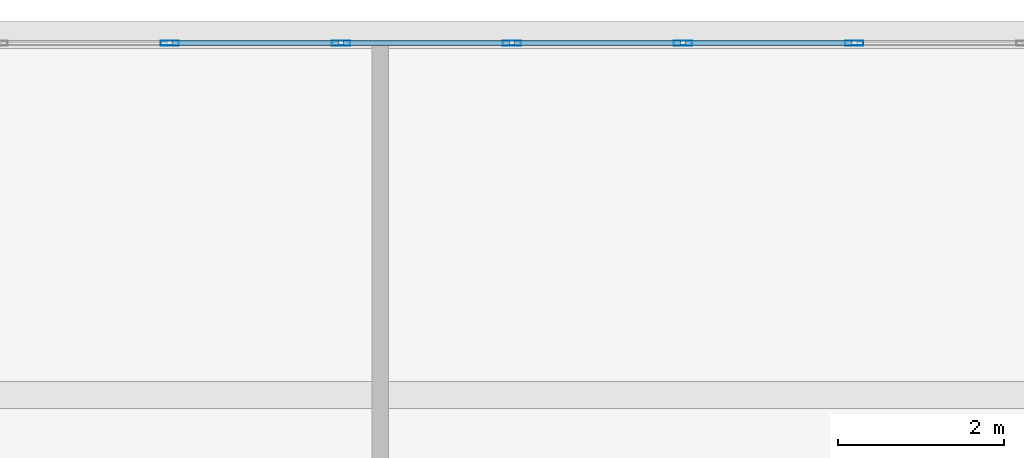
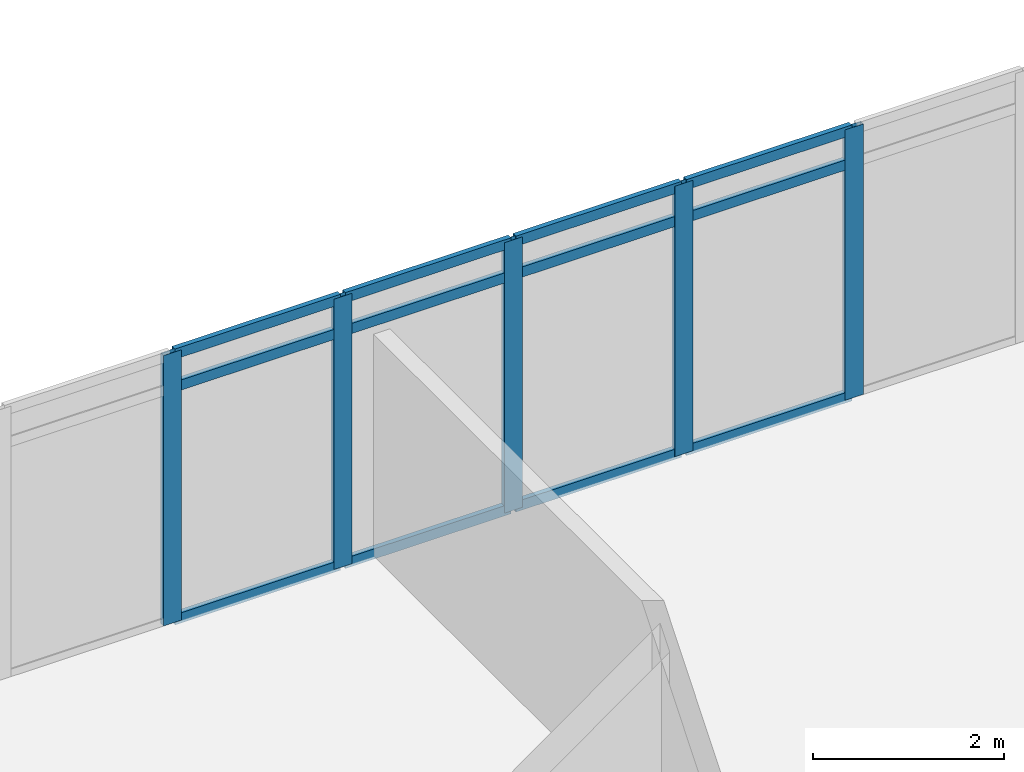
# One storey, part 17 of 28: 17 members, 1 element without a shape of its own.
"""IFC4 building model written with IfcOpenShell, lengths in metres."""

from ifc_helpers import new_model, si_unit, direction, frame, origin, origin_2d, place, context, subcontext, project, spatial, hollow_rectangle, extrude, material, material_profile, profile_set, type_object, element, aggregate, save


model = new_model("IFC4")

# Units and contexts
model_context = context("Model", 3, precision=1e-05, world=origin(), true_north=direction((0.0, 1.0)))
body_context = subcontext(model_context, "Body", "Model", "MODEL_VIEW")
ifc_project = project(units=[si_unit("LENGTHUNIT", "METRE"), si_unit("AREAUNIT", "SQUARE_METRE"), si_unit("VOLUMEUNIT", "CUBIC_METRE"), si_unit("PLANEANGLEUNIT", "RADIAN"), si_unit("MASSUNIT", "GRAM", prefix="KILO")], contexts=[model_context])

# Site, building, storey
site_placement = place(None, origin())
site = spatial("IfcSite", under=ifc_project, at=site_placement, CompositionType="ELEMENT")
building_placement = place(site_placement, origin())
building = spatial("IfcBuilding", under=site, at=building_placement, Name="Ostrander Bayou Hotel Tower", CompositionType="ELEMENT")
storey_placement = place(building_placement, frame((0.0, 0.0, 142.25)))
storey = spatial("IfcBuildingStorey", under=building, at=storey_placement, Name="L35", CompositionType="ELEMENT", Elevation=142.25)

# Curtain wall, members
ifc_material_1 = material(Name="Aluminium and clear glass", Category="aluminium")
curtain_wall_type = type_object("IfcCurtainWallType", Name="CW-BAR glazed wall", PredefinedType="NOTDEFINED", material=ifc_material_1)
curtain_wall_placement = place(storey_placement, origin())
curtain_wall = element("IfcCurtainWall", 1, at=curtain_wall_placement, inside=storey, type_object=curtain_wall_type, Name="CW-BAR L35:SB3N:T", PredefinedType="NOTDEFINED")
ifc_material_2 = material(Name="Aluminium", Category="aluminium")
ifc_material_profile_1 = material_profile(ifc_material_2, hollow_rectangle(XDim=0.06005859375, YDim=0.219970703125, WallThickness=0.00390625, at=origin_2d()))
ifc_profile_set_1 = profile_set([ifc_material_profile_1], Name="Aluminium")
member_type_1 = type_object("IfcMemberType", Name="CW-BR mullion 60 x 220 mm", PredefinedType="MULLION", material=ifc_profile_set_1)
member_1_placement = place(storey_placement, frame((1.0283203125, 29.037109375, 0.0), z_axis=(0.0, 0.0, 1.0), x_axis=(0.0, 1.0, 0.0)))
member_1 = element("IfcMember", 2, at=member_1_placement, type_object=member_type_1, Name="CW-BAR mullion 8", PredefinedType="MULLION", context=body_context, shape_type="SweptSolid", body=[
    extrude(hollow_rectangle(XDim=0.06005859375, YDim=0.219970703125, WallThickness=0.00390625, at=origin_2d()), origin(), (0.0, 0.0, 1.0), 3.449951171875),
])
member_2_placement = place(storey_placement, frame((3.084716796875, 29.037109375, 0.0), z_axis=(0.0, 0.0, 1.0), x_axis=(0.0, 1.0, 0.0)))
member_2 = element("IfcMember", 3, at=member_2_placement, type_object=member_type_1, Name="CW-BAR mullion 9", PredefinedType="MULLION", context=body_context, shape_type="SweptSolid", body=[
    extrude(hollow_rectangle(XDim=0.06005859375, YDim=0.219970703125, WallThickness=0.00390625, at=origin_2d()), origin(), (0.0, 0.0, 1.0), 3.449951171875),
])
member_3_placement = place(storey_placement, frame((5.14111328125, 29.037109375, 0.0), z_axis=(0.0, 0.0, 1.0), x_axis=(0.0, 1.0, 0.0)))
member_3 = element("IfcMember", 4, at=member_3_placement, type_object=member_type_1, Name="CW-BAR mullion 10", PredefinedType="MULLION", context=body_context, shape_type="SweptSolid", body=[
    extrude(hollow_rectangle(XDim=0.06005859375, YDim=0.219970703125, WallThickness=0.00390625, at=origin_2d()), origin(), (0.0, 0.0, 1.0), 3.449951171875),
])
member_4_placement = place(storey_placement, frame((7.19775390625, 29.037109375, 0.0), z_axis=(0.0, 0.0, 1.0), x_axis=(0.0, 1.0, 0.0)))
member_4 = element("IfcMember", 5, at=member_4_placement, type_object=member_type_1, Name="CW-BAR mullion 11", PredefinedType="MULLION", context=body_context, shape_type="SweptSolid", body=[
    extrude(hollow_rectangle(XDim=0.06005859375, YDim=0.219970703125, WallThickness=0.00390625, at=origin_2d()), origin(), (0.0, 0.0, 1.0), 3.449951171875),
])
member_5_placement = place(storey_placement, frame((9.254150390625, 29.037109375, 0.0), z_axis=(0.0, 0.0, 1.0), x_axis=(0.0, 1.0, 0.0)))
member_5 = element("IfcMember", 6, at=member_5_placement, type_object=member_type_1, Name="CW-BAR mullion 12", PredefinedType="MULLION", context=body_context, shape_type="SweptSolid", body=[
    extrude(hollow_rectangle(XDim=0.06005859375, YDim=0.219970703125, WallThickness=0.00390625, at=origin_2d()), origin(), (0.0, 0.0, 1.0), 3.449951171875),
])
ifc_material_3 = material(Name="Aluminium", Category="aluminium")
ifc_material_profile_2 = material_profile(ifc_material_3, hollow_rectangle(XDim=0.06005859375, YDim=0.1298828125, WallThickness=0.00390625, at=origin_2d()))
ifc_profile_set_2 = profile_set([ifc_material_profile_2], Name="Aluminium")
member_type_2 = type_object("IfcMemberType", Name="CW-BR transom 60 x 130 mm", PredefinedType="USERDEFINED", material=ifc_profile_set_2)
member_6_placement = place(storey_placement, frame((1.058349609375, 29.037109375, 0.030029296875), z_axis=(1.0, 0.0, 0.0), x_axis=(0.0, 1.0, 0.0)))
member_6 = element("IfcMember", 7, at=member_6_placement, type_object=member_type_2, Name="CW-BAR transom 8.1", ObjectType="TRANSOM", PredefinedType="USERDEFINED", context=body_context, shape_type="SweptSolid", body=[
    extrude(hollow_rectangle(XDim=0.06005859375, YDim=0.1298828125, WallThickness=0.00390625, at=origin_2d()), origin(), (0.0, 0.0, 1.0), 1.996337890625),
])
member_7_placement = place(storey_placement, frame((1.058349609375, 29.037109375, 3.0), z_axis=(1.0, 0.0, 0.0), x_axis=(0.0, 1.0, 0.0)))
member_7 = element("IfcMember", 8, at=member_7_placement, type_object=member_type_2, Name="CW-BAR transom 8.2", ObjectType="TRANSOM", PredefinedType="USERDEFINED", context=body_context, shape_type="SweptSolid", body=[
    extrude(hollow_rectangle(XDim=0.06005859375, YDim=0.1298828125, WallThickness=0.00390625, at=origin_2d()), origin(), (0.0, 0.0, 1.0), 1.996337890625),
])
member_8_placement = place(storey_placement, frame((1.058349609375, 29.037109375, 3.419921875), z_axis=(1.0, 0.0, 0.0), x_axis=(0.0, 1.0, 0.0)))
member_8 = element("IfcMember", 9, at=member_8_placement, type_object=member_type_2, Name="CW-BAR transom 8.3", ObjectType="TRANSOM", PredefinedType="USERDEFINED", context=body_context, shape_type="SweptSolid", body=[
    extrude(hollow_rectangle(XDim=0.06005859375, YDim=0.1298828125, WallThickness=0.00390625, at=origin_2d()), origin(), (0.0, 0.0, 1.0), 1.996337890625),
])
member_9_placement = place(storey_placement, frame((3.11474609375, 29.037109375, 0.030029296875), z_axis=(1.0, 0.0, 0.0), x_axis=(0.0, 1.0, 0.0)))
member_9 = element("IfcMember", 10, at=member_9_placement, type_object=member_type_2, Name="CW-BAR transom 9.1", ObjectType="TRANSOM", PredefinedType="USERDEFINED", context=body_context, shape_type="SweptSolid", body=[
    extrude(hollow_rectangle(XDim=0.06005859375, YDim=0.1298828125, WallThickness=0.00390625, at=origin_2d()), origin(), (0.0, 0.0, 1.0), 1.99658203125),
])
member_10_placement = place(storey_placement, frame((3.11474609375, 29.037109375, 3.0), z_axis=(1.0, 0.0, 0.0), x_axis=(0.0, 1.0, 0.0)))
member_10 = element("IfcMember", 11, at=member_10_placement, type_object=member_type_2, Name="CW-BAR transom 9.2", ObjectType="TRANSOM", PredefinedType="USERDEFINED", context=body_context, shape_type="SweptSolid", body=[
    extrude(hollow_rectangle(XDim=0.06005859375, YDim=0.1298828125, WallThickness=0.00390625, at=origin_2d()), origin(), (0.0, 0.0, 1.0), 1.99658203125),
])
member_11_placement = place(storey_placement, frame((3.11474609375, 29.037109375, 3.419921875), z_axis=(1.0, 0.0, 0.0), x_axis=(0.0, 1.0, 0.0)))
member_11 = element("IfcMember", 12, at=member_11_placement, type_object=member_type_2, Name="CW-BAR transom 9.3", ObjectType="TRANSOM", PredefinedType="USERDEFINED", context=body_context, shape_type="SweptSolid", body=[
    extrude(hollow_rectangle(XDim=0.06005859375, YDim=0.1298828125, WallThickness=0.00390625, at=origin_2d()), origin(), (0.0, 0.0, 1.0), 1.99658203125),
])
member_12_placement = place(storey_placement, frame((5.171142578125, 29.037109375, 0.030029296875), z_axis=(1.0, 0.0, 0.0), x_axis=(0.0, 1.0, 0.0)))
member_12 = element("IfcMember", 13, at=member_12_placement, type_object=member_type_2, Name="CW-BAR transom 10.1", ObjectType="TRANSOM", PredefinedType="USERDEFINED", context=body_context, shape_type="SweptSolid", body=[
    extrude(hollow_rectangle(XDim=0.06005859375, YDim=0.1298828125, WallThickness=0.00390625, at=origin_2d()), origin(), (0.0, 0.0, 1.0), 1.99658203125),
])
member_13_placement = place(storey_placement, frame((5.171142578125, 29.037109375, 3.0), z_axis=(1.0, 0.0, 0.0), x_axis=(0.0, 1.0, 0.0)))
member_13 = element("IfcMember", 14, at=member_13_placement, type_object=member_type_2, Name="CW-BAR transom 10.2", ObjectType="TRANSOM", PredefinedType="USERDEFINED", context=body_context, shape_type="SweptSolid", body=[
    extrude(hollow_rectangle(XDim=0.06005859375, YDim=0.1298828125, WallThickness=0.00390625, at=origin_2d()), origin(), (0.0, 0.0, 1.0), 1.99658203125),
])
member_14_placement = place(storey_placement, frame((5.171142578125, 29.037109375, 3.419921875), z_axis=(1.0, 0.0, 0.0), x_axis=(0.0, 1.0, 0.0)))
member_14 = element("IfcMember", 15, at=member_14_placement, type_object=member_type_2, Name="CW-BAR transom 10.3", ObjectType="TRANSOM", PredefinedType="USERDEFINED", context=body_context, shape_type="SweptSolid", body=[
    extrude(hollow_rectangle(XDim=0.06005859375, YDim=0.1298828125, WallThickness=0.00390625, at=origin_2d()), origin(), (0.0, 0.0, 1.0), 1.99658203125),
])
member_15_placement = place(storey_placement, frame((7.227783203125, 29.037109375, 0.030029296875), z_axis=(1.0, 0.0, 0.0), x_axis=(0.0, 1.0, 0.0)))
member_15 = element("IfcMember", 16, at=member_15_placement, type_object=member_type_2, Name="CW-BAR transom 11.1", ObjectType="TRANSOM", PredefinedType="USERDEFINED", context=body_context, shape_type="SweptSolid", body=[
    extrude(hollow_rectangle(XDim=0.06005859375, YDim=0.1298828125, WallThickness=0.00390625, at=origin_2d()), origin(), (0.0, 0.0, 1.0), 1.996337890625),
])
member_16_placement = place(storey_placement, frame((7.227783203125, 29.037109375, 3.0), z_axis=(1.0, 0.0, 0.0), x_axis=(0.0, 1.0, 0.0)))
member_16 = element("IfcMember", 17, at=member_16_placement, type_object=member_type_2, Name="CW-BAR transom 11.2", ObjectType="TRANSOM", PredefinedType="USERDEFINED", context=body_context, shape_type="SweptSolid", body=[
    extrude(hollow_rectangle(XDim=0.06005859375, YDim=0.1298828125, WallThickness=0.00390625, at=origin_2d()), origin(), (0.0, 0.0, 1.0), 1.996337890625),
])
member_17_placement = place(storey_placement, frame((7.227783203125, 29.037109375, 3.419921875), z_axis=(1.0, 0.0, 0.0), x_axis=(0.0, 1.0, 0.0)))
member_17 = element("IfcMember", 18, at=member_17_placement, type_object=member_type_2, Name="CW-BAR transom 11.3", ObjectType="TRANSOM", PredefinedType="USERDEFINED", context=body_context, shape_type="SweptSolid", body=[
    extrude(hollow_rectangle(XDim=0.06005859375, YDim=0.1298828125, WallThickness=0.00390625, at=origin_2d()), origin(), (0.0, 0.0, 1.0), 1.996337890625),
])
aggregate(curtain_wall, [member_1, member_2, member_3, member_4, member_5, member_6, member_7, member_8, member_9, member_10, member_11, member_12, member_13, member_14, member_15, member_16, member_17])

save(model, "model.ifc")
